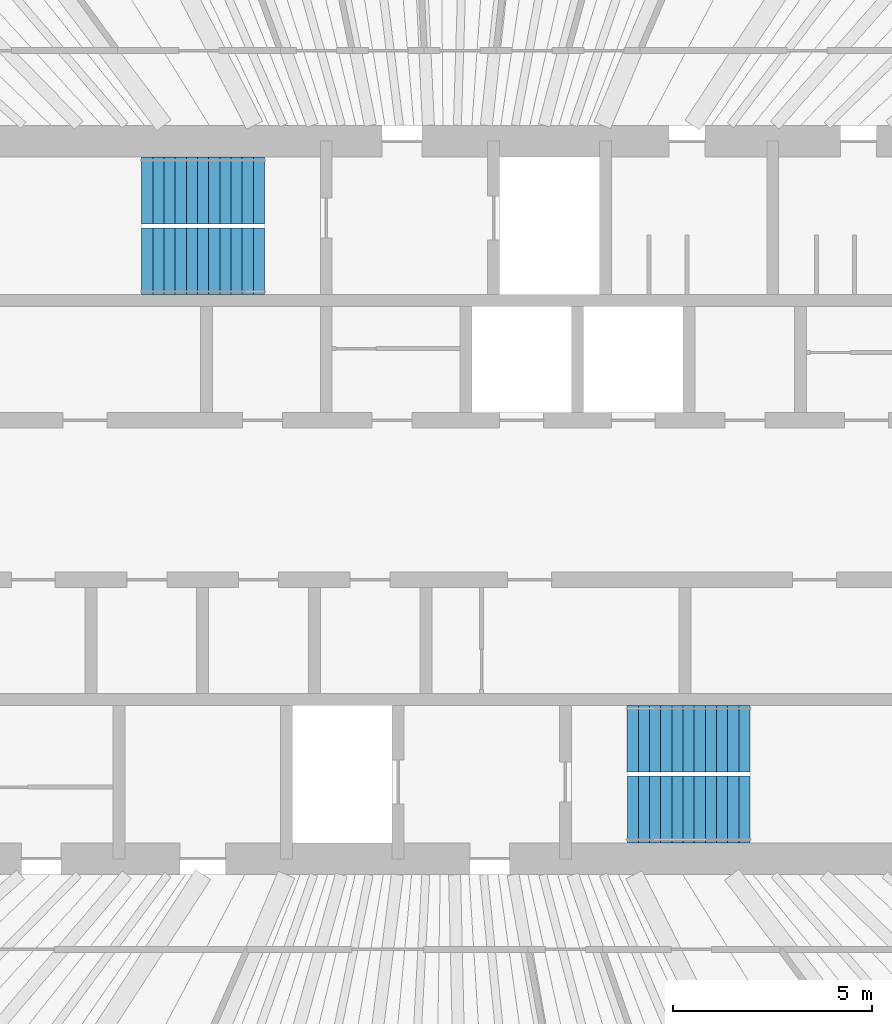
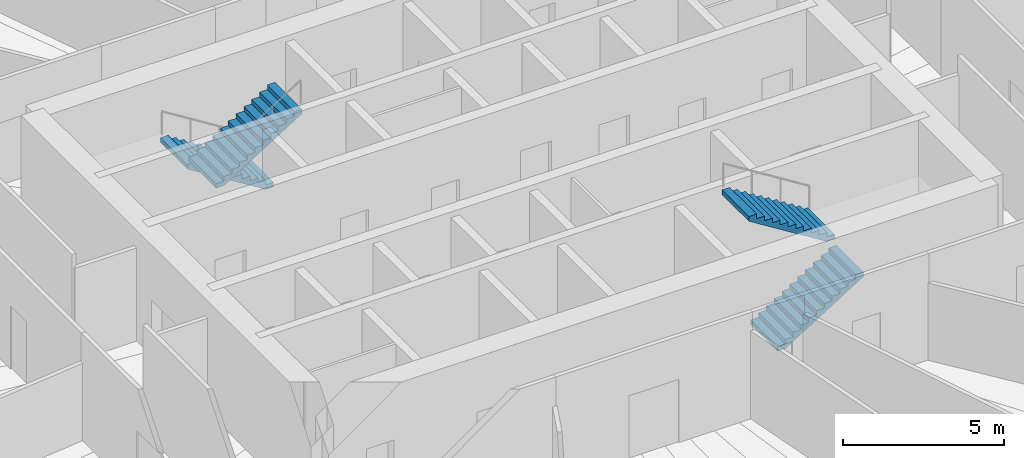
# One storey, part 14 of 15: 4 stair flights, 2 elements without a shape of their own.
"""IFC4 building model written with IfcOpenShell, lengths in metres."""

from ifc_helpers import new_model, si_unit, direction, frame, origin, place, context, subcontext, project, spatial, polyline, outline, extrude, material, type_object, element, aggregate, save


model = new_model("IFC4")

# Units and contexts
model_context = context("Model", 3, precision=1e-05, world=origin(), true_north=direction((0.0, 1.0)))
body_context = subcontext(model_context, "Body", "Model", "MODEL_VIEW")
ifc_project = project(units=[si_unit("LENGTHUNIT", "METRE"), si_unit("AREAUNIT", "SQUARE_METRE"), si_unit("VOLUMEUNIT", "CUBIC_METRE"), si_unit("PLANEANGLEUNIT", "RADIAN"), si_unit("MASSUNIT", "GRAM", prefix="KILO")], contexts=[model_context])

# Site, building, storey
site_placement = place(None, origin())
site = spatial("IfcSite", under=ifc_project, at=site_placement, CompositionType="ELEMENT")
building_placement = place(site_placement, origin())
building = spatial("IfcBuilding", under=site, at=building_placement, Name="Qingtian Harvest Tower", CompositionType="ELEMENT")
storey_placement = place(building_placement, frame((0.0, 0.0, 312.39990234375)))
storey = spatial("IfcBuildingStorey", under=building, at=storey_placement, Name="L69", CompositionType="ELEMENT", Elevation=312.39990234375)

# Stair, stair flights
ifc_material_1 = material(Name="Concrete fc' 35 MPa", Category="concrete")
stair_type = type_object("IfcStairType", Name="Special stair ST7 4200", PredefinedType="HALF_TURN_STAIR", material=ifc_material_1)
stair_1_placement = place(storey_placement, origin())
stair_1 = element("IfcStair", 1, at=stair_1_placement, inside=storey, type_object=stair_type, Name="Special stair S1 L69", PredefinedType="HALF_TURN_STAIR")
ifc_material_2 = material(Name="Concrete fc' 35 MPa", Category="concrete")
stair_flight_type = type_object("IfcStairFlightType", Name="Stair flight SF7 4200", PredefinedType="STRAIGHT", material=ifc_material_2)
stair_flight_1_placement = place(storey_placement, frame((-4.550048828125, 7.762451171875, 0.0), z_axis=(0.0, 0.0, 1.0), x_axis=(-1.0, 0.0, 0.0)))
stair_flight_1 = element("IfcStairFlight", 2, at=stair_flight_1_placement, type_object=stair_flight_type, Name="S1 flight 1", NumberOfRisers=12, NumberOfTreads=11, PredefinedType="STRAIGHT", RiserHeight=0.175, TreadLength=0.28, context=body_context, shape_type="SweptSolid", body=[
    extrude(outline(polyline([(0.0, 0.0), (0.0, 0.175048828125), (0.280029296875, 0.175048828125), (0.280029296875, 0.35009765625), (0.56005859375, 0.35009765625), (0.56005859375, 0.52490234375), (0.840087890625, 0.52490234375), (0.840087890625, 0.699951171875), (1.1201171875, 0.699951171875), (1.1201171875, 0.875), (1.39990234375, 0.875), (1.39990234375, 1.050048828125), (1.679931640625, 1.050048828125), (1.679931640625, 1.22509765625), (1.9599609375, 1.22509765625), (1.9599609375, 1.39990234375), (2.239990234375, 1.39990234375), (2.239990234375, 1.574951171875), (2.52001953125, 1.574951171875), (2.52001953125, 1.75), (2.800048828125, 1.75), (2.800048828125, 1.925048828125), (3.080078125, 1.925048828125), (3.080078125, 2.10009765625), (3.080078125, 1.748291015625), (0.28271484375, 0.0), (0.0, 0.0)])), frame((0.0, 0.83740234375, 0.0), z_axis=(0.0, -1.0, 0.0), x_axis=(1.0, 0.0, 0.0)), (0.0, 0.0, 1.0), 1.675048828125),
])
stair_flight_2_placement = place(storey_placement, frame((-7.6298828125, 5.987548828125, 2.10009765625), z_axis=(0.0, 0.0, 1.0), x_axis=(1.0, 0.0, 0.0)))
stair_flight_2 = element("IfcStairFlight", 3, at=stair_flight_2_placement, type_object=stair_flight_type, Name="S1 flight 2", NumberOfRisers=12, NumberOfTreads=11, PredefinedType="STRAIGHT", RiserHeight=0.175, TreadLength=0.28, context=body_context, shape_type="SweptSolid", body=[
    extrude(outline(polyline([(0.0, 0.0), (0.0, 0.175048828125), (0.280029296875, 0.175048828125), (0.280029296875, 0.35009765625), (0.56005859375, 0.35009765625), (0.56005859375, 0.52490234375), (0.840087890625, 0.52490234375), (0.840087890625, 0.699951171875), (1.1201171875, 0.699951171875), (1.1201171875, 0.875), (1.39990234375, 0.875), (1.39990234375, 1.050048828125), (1.679931640625, 1.050048828125), (1.679931640625, 1.22509765625), (1.9599609375, 1.22509765625), (1.9599609375, 1.39990234375), (2.239990234375, 1.39990234375), (2.239990234375, 1.574951171875), (2.52001953125, 1.574951171875), (2.52001953125, 1.75), (2.800048828125, 1.75), (2.800048828125, 1.925048828125), (3.080078125, 1.925048828125), (3.080078125, 2.10009765625), (3.080078125, 1.748291015625), (0.28271484375, 0.0), (0.0, 0.0)])), frame((0.0, 0.83740234375, 0.0), z_axis=(0.0, -1.0, 0.0), x_axis=(1.0, 0.0, 0.0)), (0.0, 0.0, 1.0), 1.675048828125),
])
aggregate(stair_1, [stair_flight_1, stair_flight_2])

stair_2_placement = place(storey_placement, origin())
stair_2 = element("IfcStair", 4, at=stair_2_placement, inside=storey, type_object=stair_type, Name="Special stair S2 L69", PredefinedType="HALF_TURN_STAIR")
stair_flight_3_placement = place(storey_placement, frame((4.550048828125, -7.762451171875, 0.0), z_axis=(0.0, 0.0, 1.0), x_axis=(1.0, 0.0, 0.0)))
stair_flight_3 = element("IfcStairFlight", 5, at=stair_flight_3_placement, type_object=stair_flight_type, Name="S2 flight 1", NumberOfRisers=12, NumberOfTreads=11, PredefinedType="STRAIGHT", RiserHeight=0.175, TreadLength=0.28, context=body_context, shape_type="SweptSolid", body=[
    extrude(outline(polyline([(0.0, 0.0), (0.0, 0.175048828125), (0.280029296875, 0.175048828125), (0.280029296875, 0.35009765625), (0.56005859375, 0.35009765625), (0.56005859375, 0.52490234375), (0.840087890625, 0.52490234375), (0.840087890625, 0.699951171875), (1.1201171875, 0.699951171875), (1.1201171875, 0.875), (1.39990234375, 0.875), (1.39990234375, 1.050048828125), (1.679931640625, 1.050048828125), (1.679931640625, 1.22509765625), (1.9599609375, 1.22509765625), (1.9599609375, 1.39990234375), (2.239990234375, 1.39990234375), (2.239990234375, 1.574951171875), (2.52001953125, 1.574951171875), (2.52001953125, 1.75), (2.800048828125, 1.75), (2.800048828125, 1.925048828125), (3.080078125, 1.925048828125), (3.080078125, 2.10009765625), (3.080078125, 1.748291015625), (0.28271484375, 0.0), (0.0, 0.0)])), frame((0.0, 0.83740234375, 0.0), z_axis=(0.0, -1.0, 0.0), x_axis=(1.0, 0.0, 0.0)), (0.0, 0.0, 1.0), 1.675048828125),
])
stair_flight_4_placement = place(storey_placement, frame((7.6298828125, -5.987548828125, 2.10009765625), z_axis=(0.0, 0.0, 1.0), x_axis=(-1.0, 0.0, 0.0)))
stair_flight_4 = element("IfcStairFlight", 6, at=stair_flight_4_placement, type_object=stair_flight_type, Name="S2 flight 2", NumberOfRisers=12, NumberOfTreads=11, PredefinedType="STRAIGHT", RiserHeight=0.175, TreadLength=0.28, context=body_context, shape_type="SweptSolid", body=[
    extrude(outline(polyline([(0.0, 0.0), (0.0, 0.175048828125), (0.280029296875, 0.175048828125), (0.280029296875, 0.35009765625), (0.56005859375, 0.35009765625), (0.56005859375, 0.52490234375), (0.840087890625, 0.52490234375), (0.840087890625, 0.699951171875), (1.1201171875, 0.699951171875), (1.1201171875, 0.875), (1.39990234375, 0.875), (1.39990234375, 1.050048828125), (1.679931640625, 1.050048828125), (1.679931640625, 1.22509765625), (1.9599609375, 1.22509765625), (1.9599609375, 1.39990234375), (2.239990234375, 1.39990234375), (2.239990234375, 1.574951171875), (2.52001953125, 1.574951171875), (2.52001953125, 1.75), (2.800048828125, 1.75), (2.800048828125, 1.925048828125), (3.080078125, 1.925048828125), (3.080078125, 2.10009765625), (3.080078125, 1.748291015625), (0.28271484375, 0.0), (0.0, 0.0)])), frame((0.0, 0.83740234375, 0.0), z_axis=(0.0, -1.0, 0.0), x_axis=(1.0, 0.0, 0.0)), (0.0, 0.0, 1.0), 1.675048828125),
])
aggregate(stair_2, [stair_flight_3, stair_flight_4])

save(model, "model.ifc")
